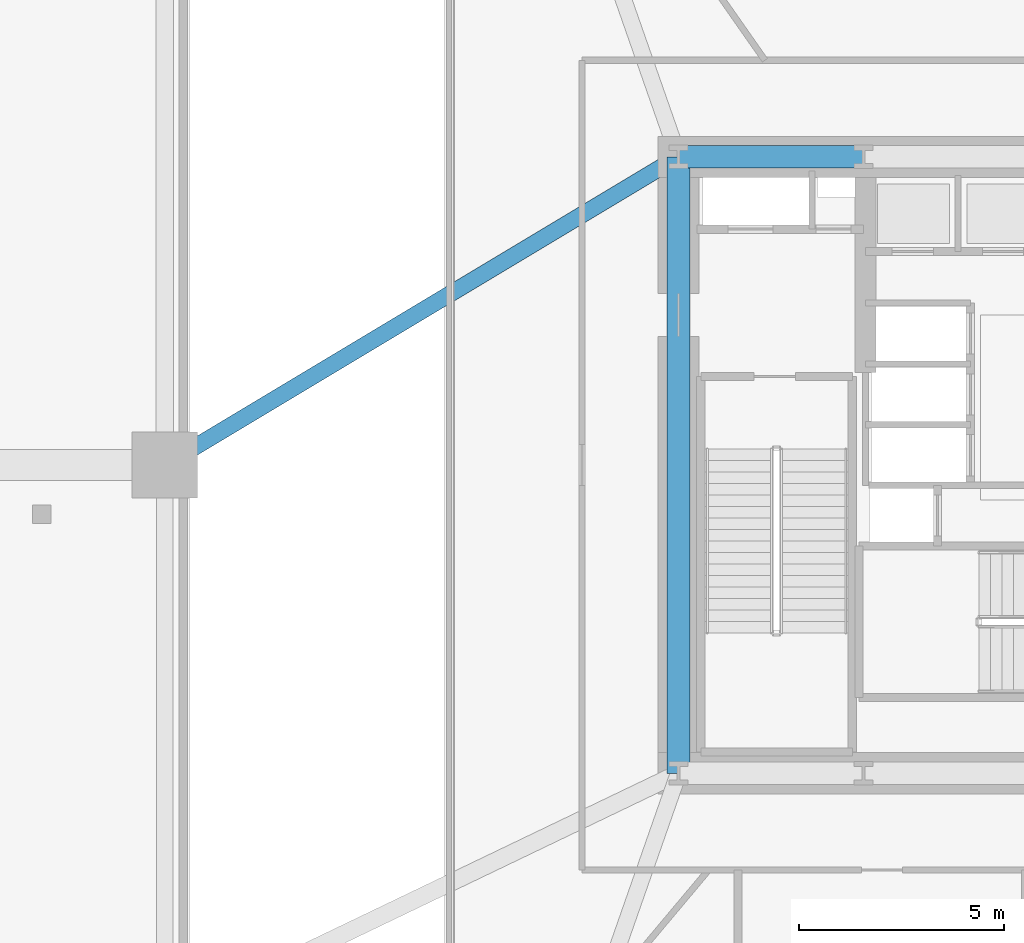
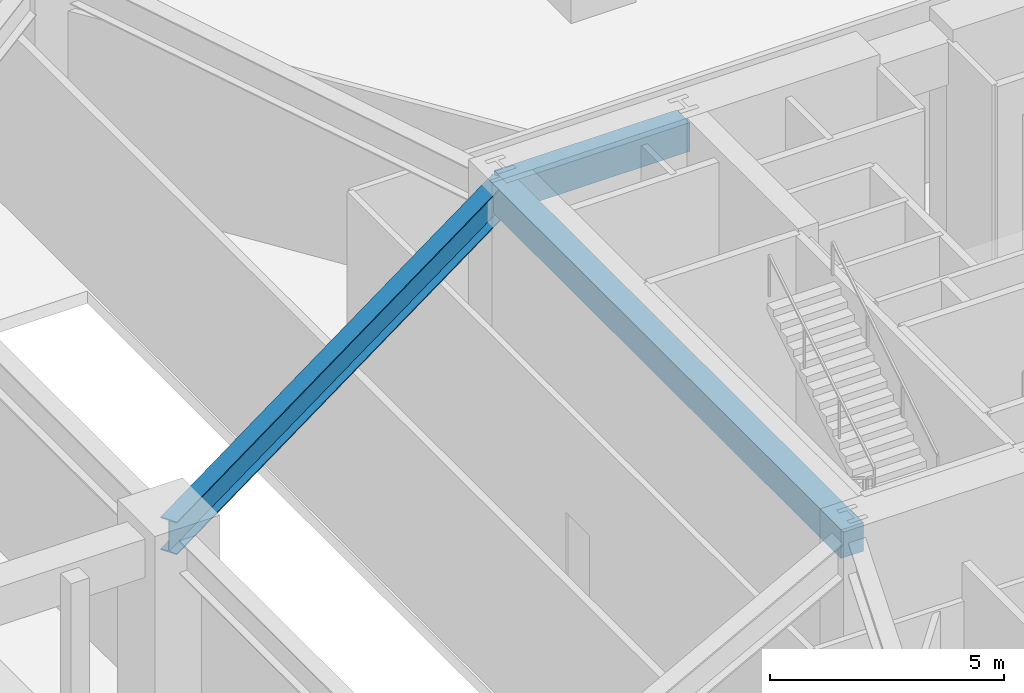
# One storey, part 14 of 35: 3 beams.
"""IFC4 building model written with IfcOpenShell, lengths in metres."""

from ifc_helpers import new_model, si_unit, direction, frame, origin, origin_2d, place, context, subcontext, project, spatial, rectangle, i_section, extrude, material, material_profile, profile_set, type_object, element, save


model = new_model("IFC4")

# Units and contexts
model_context = context("Model", 3, precision=1e-05, world=origin(), true_north=direction((0.0, 1.0)))
body_context = subcontext(model_context, "Body", "Model", "MODEL_VIEW")
ifc_project = project(units=[si_unit("LENGTHUNIT", "METRE"), si_unit("AREAUNIT", "SQUARE_METRE"), si_unit("VOLUMEUNIT", "CUBIC_METRE"), si_unit("PLANEANGLEUNIT", "RADIAN"), si_unit("MASSUNIT", "GRAM", prefix="KILO")], contexts=[model_context])

# Site, building, storey
site_placement = place(None, origin())
site = spatial("IfcSite", under=ifc_project, at=site_placement, CompositionType="ELEMENT")
building_placement = place(site_placement, origin())
building = spatial("IfcBuilding", under=site, at=building_placement, Name="Kilnhurst Terrace Hotel", CompositionType="ELEMENT")
storey_placement = place(building_placement, origin())
storey = spatial("IfcBuildingStorey", under=building, at=storey_placement, Name="L00", CompositionType="ELEMENT", Elevation=0.0)

# Beams
ifc_material_1 = material(Name="Concrete C50/60", Category="concrete")
ifc_material_profile_1 = material_profile(ifc_material_1, rectangle(XDim=0.550048828125, YDim=0.75, at=origin_2d()), Name="RC550X750")
ifc_profile_set_1 = profile_set([ifc_material_profile_1], Name="Concrete C50/60")
beam_type_1 = type_object("IfcBeamType", Name="BM-SPN-550X750", PredefinedType="SPANDREL", material=ifc_profile_set_1)
beam_1_placement = place(storey_placement, frame((-9.0, 7.5, 5.304931640625), z_axis=(1.0, 0.0, 0.0), x_axis=(0.0, 1.0, 0.0)))
element("IfcBeam", 1, at=beam_1_placement, inside=storey, type_object=beam_type_1, Name="L00 Core Tie Beam CC-NW to CC-NC1", PredefinedType="SPANDREL", context=body_context, shape_type="SweptSolid", body=[
    extrude(rectangle(XDim=0.550048828125, YDim=0.75, at=origin_2d()), origin(), (0.0, 0.0, 1.0), 4.5),
])
beam_2_placement = place(storey_placement, frame((-9.0, -7.5, 5.304931640625), z_axis=(0.0, 1.0, 0.0), x_axis=(-1.0, 0.0, 0.0)))
element("IfcBeam", 2, at=beam_2_placement, inside=storey, type_object=beam_type_1, Name="L00 Core Tie Beam CC-SW to CC-NW", PredefinedType="SPANDREL", context=body_context, shape_type="SweptSolid", body=[
    extrude(rectangle(XDim=0.550048828125, YDim=0.75, at=origin_2d()), origin(), (0.0, 0.0, 1.0), 15.0),
])
ifc_material_2 = material(Name="Steel ASTM A992 Grade 50", Category="steel")
ifc_material_profile_2 = material_profile(ifc_material_2, i_section(OverallWidth=0.39990234375, OverallDepth=0.85546875, WebThickness=0.018310546875, FlangeThickness=0.029296875, at=origin_2d()), Name="W33X201")
ifc_profile_set_2 = profile_set([ifc_material_profile_2], Name="Steel ASTM A992 Grade 50")
beam_type_2 = type_object("IfcBeamType", Name="BM-STL-W33X201", PredefinedType="BEAM", material=ifc_profile_set_2)
beam_3_placement = place(storey_placement, frame((-21.5, 0.0, 5.251953125), z_axis=(0.857492925713, 0.514495755428, 0.0), x_axis=(-0.514495755428, 0.857492925713, 0.0)))
element("IfcBeam", 3, at=beam_3_placement, inside=storey, type_object=beam_type_2, Name="L00 Podium Frame Beam 9", PredefinedType="BEAM", context=body_context, shape_type="SweptSolid", body=[
    extrude(i_section(OverallWidth=0.39990234375, OverallDepth=0.85546875, WebThickness=0.018310546875, FlangeThickness=0.029296875, at=origin_2d()), origin(), (0.0, 0.0, 1.0), 14.577392578125),
])

save(model, "model.ifc")
